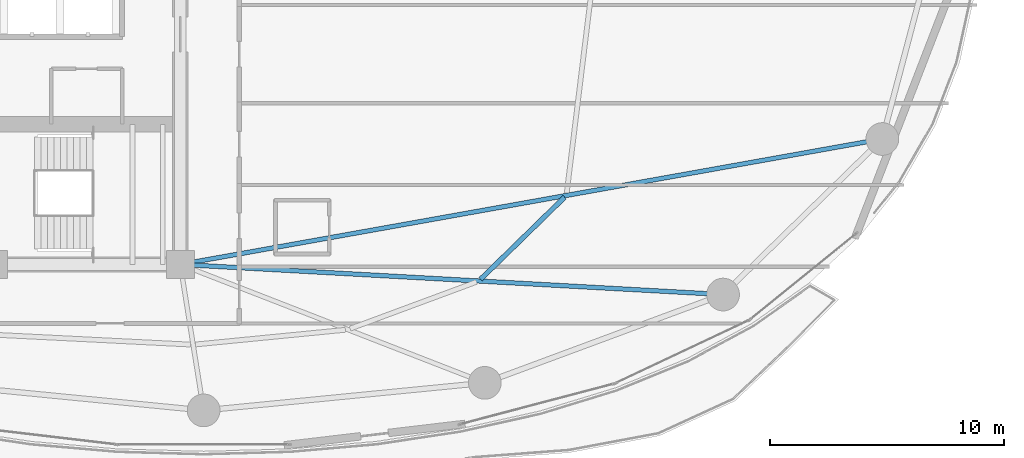
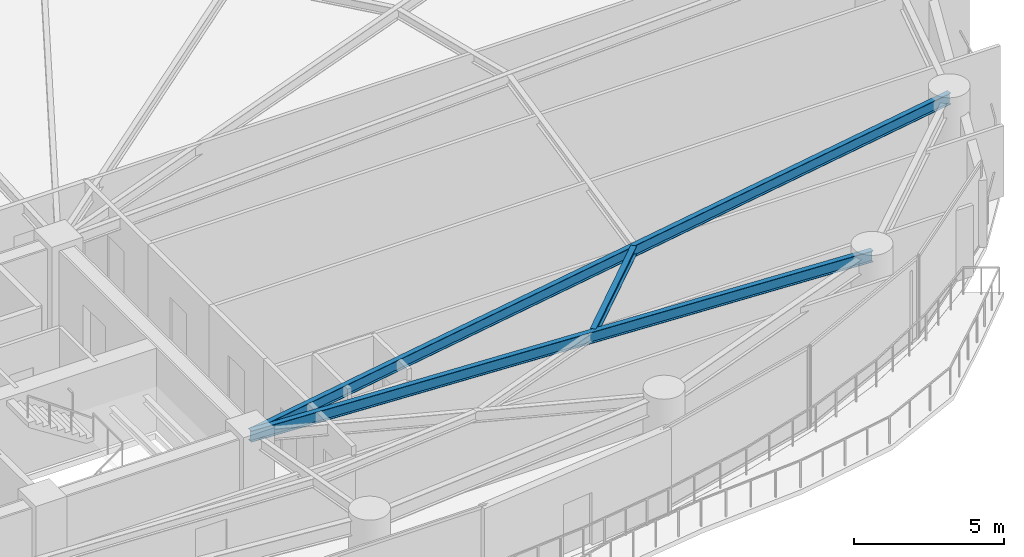
# One storey, part 13 of 31: 3 beams.
"""IFC4 building model written with IfcOpenShell, lengths in metres."""

from ifc_helpers import new_model, si_unit, direction, frame, origin, origin_2d, place, context, subcontext, project, spatial, i_section, extrude, material, material_profile, profile_set, type_object, element, save


model = new_model("IFC4")

# Units and contexts
model_context = context("Model", 3, precision=1e-05, world=origin(), true_north=direction((0.0, 1.0)))
body_context = subcontext(model_context, "Body", "Model", "MODEL_VIEW")
ifc_project = project(units=[si_unit("LENGTHUNIT", "METRE"), si_unit("AREAUNIT", "SQUARE_METRE"), si_unit("VOLUMEUNIT", "CUBIC_METRE"), si_unit("PLANEANGLEUNIT", "RADIAN"), si_unit("MASSUNIT", "GRAM", prefix="KILO")], contexts=[model_context])

# Site, building, storey
site_placement = place(None, origin())
site = spatial("IfcSite", under=ifc_project, at=site_placement, CompositionType="ELEMENT")
building_placement = place(site_placement, origin())
building = spatial("IfcBuilding", under=site, at=building_placement, Name="Kazevale Care Tower and Concert Hall", CompositionType="ELEMENT")
storey_placement = place(building_placement, frame((0.0, 0.0, 81.60009765625)))
storey = spatial("IfcBuildingStorey", under=building, at=storey_placement, Name="L21", CompositionType="ELEMENT", Elevation=81.60009765625)

# Beams
ifc_material = material(Name="Steel ASTM A572 Gr 50", Category="steel")
ifc_material_profile_1 = material_profile(ifc_material, i_section(OverallWidth=0.19091796875, OverallDepth=0.4599609375, WebThickness=0.010009765625, FlangeThickness=0.01611328125, at=origin_2d()), Name="W460x82")
ifc_profile_set_1 = profile_set([ifc_material_profile_1], Name="Steel ASTM A572 Gr 50")
beam_type_1 = type_object("IfcBeamType", Name="Radial Floor Beam W460x82", PredefinedType="BEAM", material=ifc_profile_set_1)
beam_1_placement = place(storey_placement, frame((44.0, 23.60009765625, 3.1298828125), z_axis=(0.998462901796, -0.055424125948, 0.0), x_axis=(0.055424125948, 0.998462901796, 0.0)))
element("IfcBeam", 1, at=beam_1_placement, inside=storey, type_object=beam_type_1, Name="beam:L21:rad:15", PredefinedType="BEAM", context=body_context, shape_type="SweptSolid", body=[
    extrude(i_section(OverallWidth=0.19091796875, OverallDepth=0.4599609375, WebThickness=0.010009765625, FlangeThickness=0.01611328125, at=origin_2d()), origin(), (0.0, 0.0, 1.0), 23.27587890625),
])
beam_2_placement = place(storey_placement, frame((44.0, 23.60009765625, 3.1298828125), z_axis=(0.984416208219, 0.175854283415, 0.0), x_axis=(-0.175854283415, 0.984416208219, 0.0)))
element("IfcBeam", 2, at=beam_2_placement, inside=storey, type_object=beam_type_1, Name="beam:L21:rad:16", PredefinedType="BEAM", context=body_context, shape_type="SweptSolid", body=[
    extrude(i_section(OverallWidth=0.19091796875, OverallDepth=0.4599609375, WebThickness=0.010009765625, FlangeThickness=0.01611328125, at=origin_2d()), origin(), (0.0, 0.0, 1.0), 30.535888671875),
])
ifc_material_profile_2 = material_profile(ifc_material, i_section(OverallWidth=0.205078125, OverallDepth=0.35400390625, WebThickness=0.009521484375, FlangeThickness=0.016845703125, at=origin_2d()), Name="W360x79")
ifc_profile_set_2 = profile_set([ifc_material_profile_2], Name="Steel ASTM A572 Gr 50")
beam_type_2 = type_object("IfcBeamType", Name="Secondary Floor Joist W360x79", PredefinedType="JOIST", material=ifc_profile_set_2)
beam_3_placement = place(storey_placement, frame((56.85693359375, 22.964111328125, 3.182861328125), z_axis=(0.715521089339, 0.698591132717, 0.0), x_axis=(-0.698591132717, 0.715521089339, 0.0)))
element("IfcBeam", 3, at=beam_3_placement, inside=storey, type_object=beam_type_2, Name="beam:L21:joist:15", PredefinedType="JOIST", context=body_context, shape_type="SweptSolid", body=[
    extrude(i_section(OverallWidth=0.205078125, OverallDepth=0.35400390625, WebThickness=0.009521484375, FlangeThickness=0.016845703125, at=origin_2d()), origin(), (0.0, 0.0, 1.0), 5.03271484375),
])

save(model, "model.ifc")
